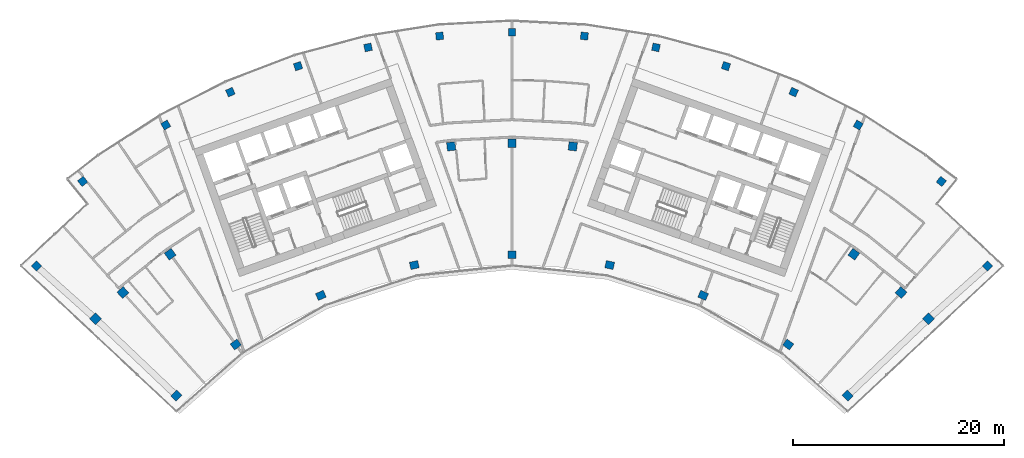
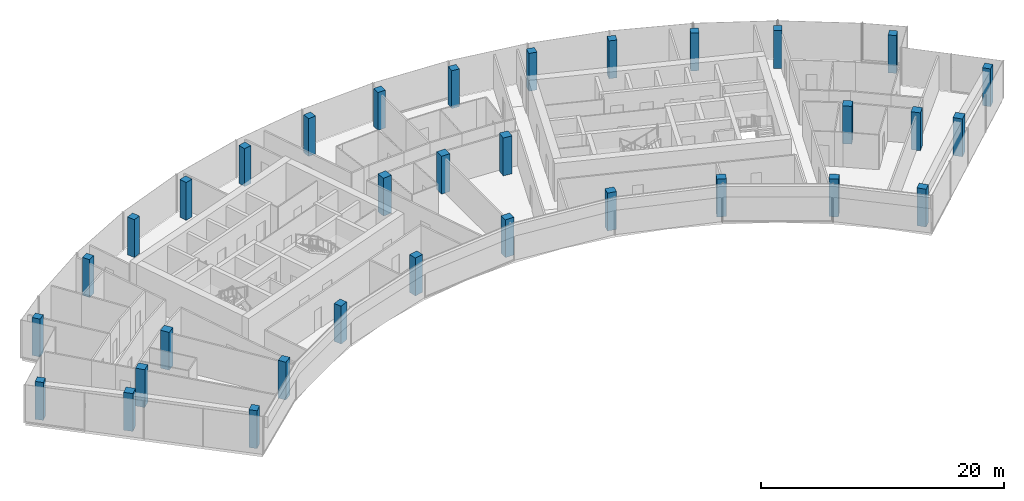
# One storey, part 1 of 18: 33 columns.
"""IFC4 building model written with IfcOpenShell, lengths in metres."""

from ifc_helpers import new_model, si_unit, direction, frame, origin, origin_2d, place, context, subcontext, project, spatial, rectangle, extrude, material, material_profile, profile_set, type_object, element, save


model = new_model("IFC4")

# Units and contexts
model_context = context("Model", 3, precision=1e-05, world=origin(), true_north=direction((0.0, 1.0)))
body_context = subcontext(model_context, "Body", "Model", "MODEL_VIEW")
ifc_project = project(units=[si_unit("LENGTHUNIT", "METRE"), si_unit("AREAUNIT", "SQUARE_METRE"), si_unit("VOLUMEUNIT", "CUBIC_METRE"), si_unit("PLANEANGLEUNIT", "RADIAN"), si_unit("MASSUNIT", "GRAM", prefix="KILO")], contexts=[model_context])

# Site, building, storey
site_placement = place(None, origin())
site = spatial("IfcSite", under=ifc_project, at=site_placement, CompositionType="ELEMENT")
building_placement = place(site_placement, origin())
building = spatial("IfcBuilding", under=site, at=building_placement, Name="Stone Belt Terrace Tower", CompositionType="ELEMENT")
storey_placement = place(building_placement, frame((0.0, 0.0, 288.39990234375)))
storey = spatial("IfcBuildingStorey", under=building, at=storey_placement, Name="L70", CompositionType="ELEMENT", Elevation=288.39990234375)

# Columns
ifc_material = material(Name="Concrete B60", Category="concrete")
ifc_material_profile_1 = material_profile(ifc_material, rectangle(XDim=0.699951171875, YDim=0.699951171875, at=origin_2d()), Name="RC 700x700")
ifc_profile_set_1 = profile_set([ifc_material_profile_1], Name="Concrete B60")
column_type_1 = type_object("IfcColumnType", Name="Column RC 700x700 B60", PredefinedType="COLUMN", material=ifc_profile_set_1)
for number, where, z_axis, x_axis, name in (
    (1, (-44.97705078125, 43.381103515625, 0.0), (0.0, 0.0, 1.0), (0.694221333646, 0.719761585465, 0.0), "Column L70 RA"),
    (2, (44.97705078125, 43.381103515625, 0.0), (0.0, 0.0, 1.0), (0.694221333646, -0.719761585465, 0.0), "Column L70 RB"),
    (3, (-40.605712890625, 51.380615234375, 0.0), (0.0, 0.0, 1.0), (0.784569718703, 0.620040608746, 0.0), "Column L70 RNA"),
    (4, (-32.744384765625, 56.715087890625, 0.0), (0.0, 0.0, 1.0), (0.866025403784, 0.5, 0.0), "Column L70 R17"),
    (5, (-26.63671875, 59.8271484375, 0.0), (0.0, 0.0, 1.0), (0.913545457643, 0.406736643076, 0.0), "Column L70 R18"),
    (6, (-20.2373046875, 62.28369140625, 0.0), (0.0, 0.0, 1.0), (0.951056516295, 0.309016994375, 0.0), "Column L70 R19"),
    (7, (-13.615966796875, 64.057861328125, 0.0), (0.0, 0.0, 1.0), (0.978147600734, 0.207911690818, 0.0), "Column L70 R20"),
    (8, (-6.845458984375, 65.130126953125, 0.0), (0.0, 0.0, 1.0), (0.994521895368, 0.104528463268, 0.0), "Column L70 R21"),
    (9, (0.0, 65.489013671875, 0.0), (0.0, 0.0, 1.0), (1.0, 0.0, 0.0), "Column L70 R22"),
    (10, (6.845458984375, 65.130126953125, 0.0), (0.0, 0.0, 1.0), (0.994521895368, -0.104528463268, 0.0), "Column L70 R23"),
    (11, (13.615966796875, 64.057861328125, 0.0), (0.0, 0.0, 1.0), (0.978147600734, -0.207911690818, 0.0), "Column L70 R24"),
    (12, (20.2373046875, 62.28369140625, 0.0), (0.0, 0.0, 1.0), (0.951056516295, -0.309016994375, 0.0), "Column L70 R25"),
    (13, (26.63671875, 59.8271484375, 0.0), (0.0, 0.0, 1.0), (0.913545457643, -0.406736643076, 0.0), "Column L70 R26"),
    (14, (32.744384765625, 56.715087890625, 0.0), (0.0, 0.0, 1.0), (0.866025403784, -0.5, 0.0), "Column L70 R27"),
    (15, (40.605712890625, 51.380615234375, 0.0), (0.0, 0.0, 1.0), (0.784569718703, -0.620040608746, 0.0), "Column L70 RNB"),
):
    element("IfcColumn", number, at=place(storey_placement, frame(where, z_axis=z_axis, x_axis=x_axis)), inside=storey, type_object=column_type_1, Name=name, PredefinedType="COLUMN", context=body_context, shape_type="SweptSolid", body=[
        extrude(rectangle(XDim=0.699951171875, YDim=0.699951171875, at=origin_2d()), origin(), (0.0, 0.0, 1.0), 3.800048828125),
    ])
ifc_material_profile_2 = material_profile(ifc_material, rectangle(XDim=0.800048828125, YDim=0.699951171875, at=origin_2d()), Name="RC 800x700")
ifc_profile_set_2 = profile_set([ifc_material_profile_2], Name="Concrete B60")
column_type_2 = type_object("IfcColumnType", Name="Column RC 800x700 B60", PredefinedType="COLUMN", material=ifc_profile_set_2)
for number, where, z_axis, x_axis, name in (
    (16, (-31.73486328125, 31.11669921875, 0.0), (0.0, 0.0, 1.0), (0.700119596097, 0.714025595592, 0.0), "Column L70 PA"),
    (17, (-26.1240234375, 35.956787109375, 0.0), (0.0, 0.0, 1.0), (0.809016994375, 0.587785252292, 0.0), "Column L70 P16"),
    (18, (-18.077392578125, 40.6025390625, 0.0), (0.0, 0.0, 1.0), (0.913545457643, 0.406736643076, 0.0), "Column L70 P18"),
    (19, (-9.240478515625, 43.473876953125, 0.0), (0.0, 0.0, 1.0), (0.978147600734, 0.207911690818, 0.0), "Column L70 P20"),
    (20, (0.0, 44.445068359375, 0.0), (0.0, 0.0, 1.0), (1.0, 0.0, 0.0), "Column L70 P22"),
    (21, (9.240478515625, 43.473876953125, 0.0), (0.0, 0.0, 1.0), (0.978147600734, -0.207911690818, 0.0), "Column L70 P24"),
    (22, (18.077392578125, 40.6025390625, 0.0), (0.0, 0.0, 1.0), (0.913545457643, -0.406736643076, 0.0), "Column L70 P26"),
    (23, (26.1240234375, 35.956787109375, 0.0), (0.0, 0.0, 1.0), (0.809016994375, -0.587785252292, 0.0), "Column L70 P28"),
    (24, (31.73486328125, 31.11669921875, 0.0), (0.0, 0.0, 1.0), (0.700119596097, -0.714025595592, 0.0), "Column L70 PB"),
):
    element("IfcColumn", number, at=place(storey_placement, frame(where, z_axis=z_axis, x_axis=x_axis)), inside=storey, type_object=column_type_2, Name=name, PredefinedType="COLUMN", context=body_context, shape_type="SweptSolid", body=[
        extrude(rectangle(XDim=0.800048828125, YDim=0.699951171875, at=origin_2d()), origin(), (0.0, 0.0, 1.0), 3.800048828125),
    ])
ifc_material_profile_3 = material_profile(ifc_material, rectangle(XDim=0.800048828125, YDim=0.800048828125, at=origin_2d()), Name="RC 800x800")
ifc_profile_set_3 = profile_set([ifc_material_profile_3], Name="Concrete B60")
column_type_3 = type_object("IfcColumnType", Name="Column RC 800x800 B60", PredefinedType="COLUMN", material=ifc_profile_set_3)
for number, where, z_axis, x_axis, name in (
    (25, (-39.38818359375, 38.386962890625, 0.0), (0.0, 0.0, 1.0), (0.697944216238, 0.716152128406, 0.0), "Column L70 QA"),
    (26, (-36.80224609375, 40.873046875, 0.0), (0.0, 0.0, 1.0), (0.743144825477, 0.669130606359, 0.0), "Column L70 Q15"),
    (27, (-32.328125, 44.495849609375, 0.0), (0.0, 0.0, 1.0), (0.809016994375, 0.587785252292, 0.0), "Column L70 Q16"),
    (28, (-5.7490234375, 54.69873046875, 0.0), (0.0, 0.0, 1.0), (0.994521895368, 0.104528463268, 0.0), "Column L70 Q21"),
    (29, (0.0, 55.0, 0.0), (0.0, 0.0, 1.0), (1.0, 0.0, 0.0), "Column L70 Q22"),
    (30, (5.7490234375, 54.69873046875, 0.0), (0.0, 0.0, 1.0), (0.994521895368, -0.104528463268, 0.0), "Column L70 Q23"),
    (31, (32.328125, 44.495849609375, 0.0), (0.0, 0.0, 1.0), (0.809016994375, -0.587785252292, 0.0), "Column L70 Q28"),
    (32, (36.80224609375, 40.873046875, 0.0), (0.0, 0.0, 1.0), (0.743144825477, -0.669130606359, 0.0), "Column L70 Q29"),
    (33, (39.38818359375, 38.386962890625, 0.0), (0.0, 0.0, 1.0), (0.697944216238, -0.716152128406, 0.0), "Column L70 QB"),
):
    element("IfcColumn", number, at=place(storey_placement, frame(where, z_axis=z_axis, x_axis=x_axis)), inside=storey, type_object=column_type_3, Name=name, PredefinedType="COLUMN", context=body_context, shape_type="SweptSolid", body=[
        extrude(rectangle(XDim=0.800048828125, YDim=0.800048828125, at=origin_2d()), origin(), (0.0, 0.0, 1.0), 3.800048828125),
    ])

save(model, "model.ifc")
